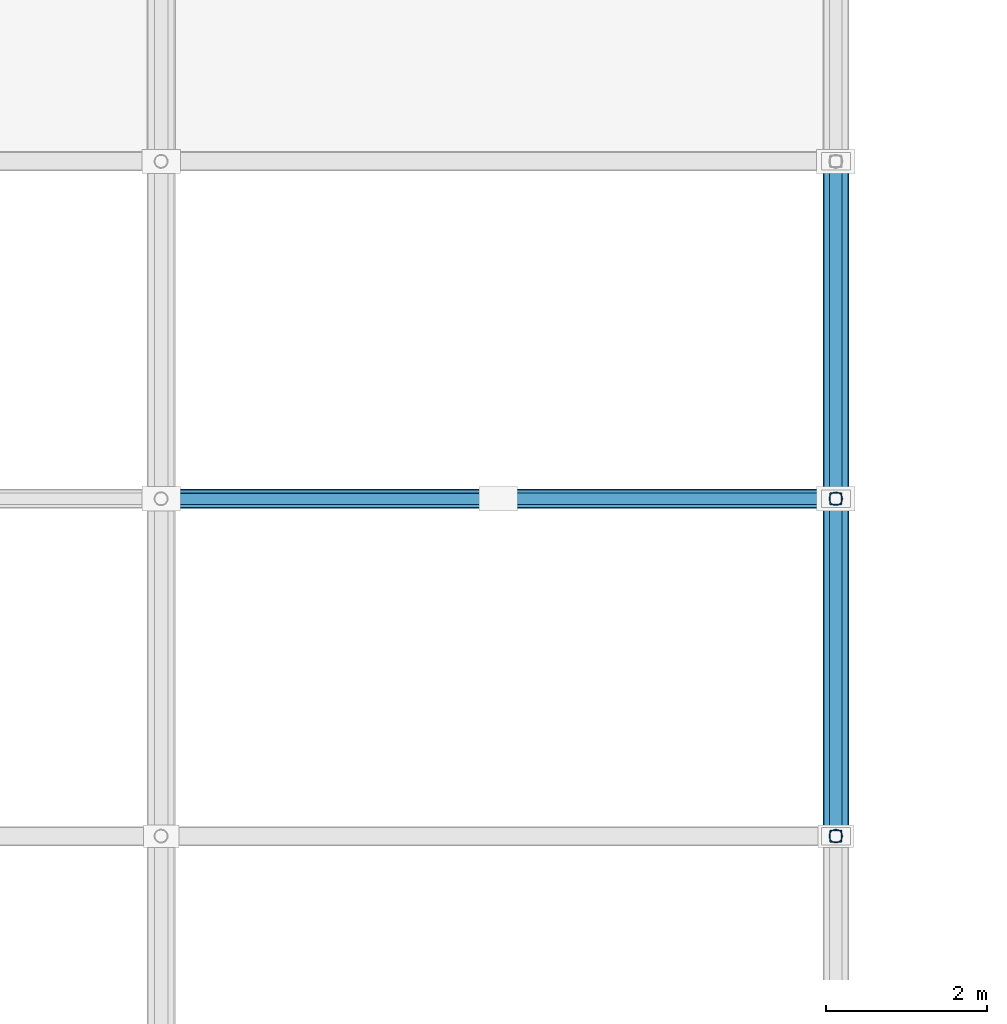
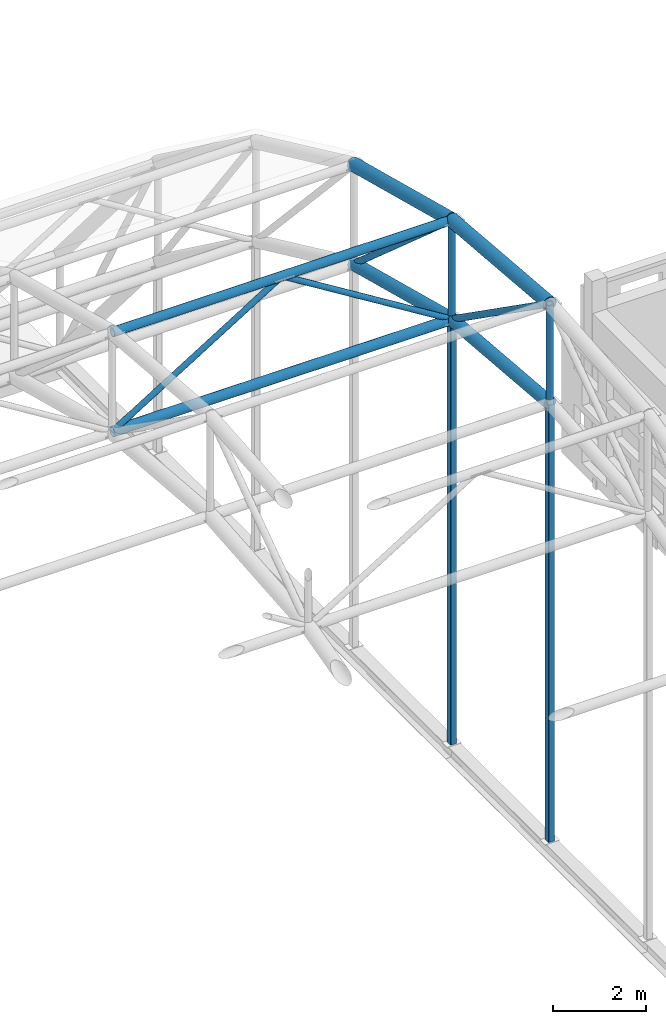
# One storey, part 59 of 103: 10 members, 4 beams.
"""IFC4 building model written with IfcOpenShell, lengths in metres."""

from ifc_helpers import new_model, si_unit, direction, frame, origin, origin_2d, place, context, subcontext, project, spatial, hollow_rectangle, hollow_circle, extrude, material, material_profile, profile_set, type_object, element, save


model = new_model("IFC4")

# Units and contexts
model_context = context("Model", 3, precision=1e-05, world=origin(), true_north=direction((0.0, 1.0)))
body_context = subcontext(model_context, "Body", "Model", "MODEL_VIEW")
ifc_project = project(units=[si_unit("LENGTHUNIT", "METRE"), si_unit("AREAUNIT", "SQUARE_METRE"), si_unit("VOLUMEUNIT", "CUBIC_METRE"), si_unit("PLANEANGLEUNIT", "RADIAN"), si_unit("MASSUNIT", "GRAM", prefix="KILO")], contexts=[model_context])

# Site, building, storey
site_placement = place(None, origin())
site = spatial("IfcSite", under=ifc_project, at=site_placement, CompositionType="ELEMENT")
building_placement = place(site_placement, origin())
building = spatial("IfcBuilding", under=site, at=building_placement, Name="Varnapada Polytechnic", CompositionType="ELEMENT")
storey_placement = place(building_placement, frame((0.0, 0.0, 18.0)))
storey = spatial("IfcBuildingStorey", under=building, at=storey_placement, Name="L04", CompositionType="ELEMENT", Elevation=18.0)

# Members
ifc_material = material(Name="Steel S355", Category="steel")
ifc_material_profile_1 = material_profile(ifc_material, hollow_rectangle(XDim=0.14990234375, YDim=0.14990234375, WallThickness=0.00634765625, InnerFilletRadius=0.006103515625, OuterFilletRadius=0.011962890625, at=origin_2d()), Name="SHS 150x150x6.3")
ifc_profile_set_1 = profile_set([ifc_material_profile_1], Name="Steel S355")
member_type_1 = type_object("IfcMemberType", Name="Sawtooth north-light mullion post SFP-02 (SHS 150x150x6.3)", PredefinedType="POST", material=ifc_profile_set_1)
member_1_placement = place(storey_placement, frame((134.39990234375, 105.0, 0.0), z_axis=(0.0, 0.0, 1.0), x_axis=(1.0, 0.0, 0.0)))
element("IfcMember", 1, at=member_1_placement, inside=storey, type_object=member_type_1, Name="Workshop arch tympanum mullion E.5", PredefinedType="POST", context=body_context, shape_type="SweptSolid", body=[
    extrude(hollow_rectangle(XDim=0.14990234375, YDim=0.14990234375, WallThickness=0.00634765625, InnerFilletRadius=0.006103515625, OuterFilletRadius=0.011962890625, at=origin_2d()), origin(), (0.0, 0.0, 1.0), 11.435302734375),
])
member_2_placement = place(storey_placement, frame((134.39990234375, 109.199951171875, 0.0), z_axis=(0.0, 0.0, 1.0), x_axis=(1.0, 0.0, 0.0)))
element("IfcMember", 2, at=member_2_placement, inside=storey, type_object=member_type_1, Name="Workshop arch tympanum mullion E.6", PredefinedType="POST", context=body_context, shape_type="SweptSolid", body=[
    extrude(hollow_rectangle(XDim=0.14990234375, YDim=0.14990234375, WallThickness=0.00634765625, InnerFilletRadius=0.006103515625, OuterFilletRadius=0.011962890625, at=origin_2d()), origin(), (0.0, 0.0, 1.0), 11.080078125),
])

# Beams
ifc_material_profile_2 = material_profile(ifc_material, hollow_circle(Radius=0.149169921875, WallThickness=0.010009765625, at=origin_2d()), Name="CHS 298.5x10.0")
ifc_profile_set_2 = profile_set([ifc_material_profile_2], Name="Steel S355")
beam_type_1 = type_object("IfcBeamType", Name="Space frame end-bay arch rib VA-04 (CHS 298.5x10.0)", PredefinedType="BEAM", material=ifc_profile_set_2)
beam_1_placement = place(storey_placement, frame((134.39990234375, 105.0, 11.435302734375), z_axis=(0.0, 0.99644233396, -0.084277369988), x_axis=(-1.0, 0.0, 0.0)))
element("IfcBeam", 3, at=beam_1_placement, inside=storey, type_object=beam_type_1, Name="Vaulted space frame bottom arch chord 11.6", PredefinedType="BEAM", context=body_context, shape_type="SweptSolid", body=[
    extrude(hollow_circle(Radius=0.149169921875, WallThickness=0.010009765625, at=origin_2d()), origin(), (0.0, 0.0, 1.0), 4.21484375),
])
beam_2_placement = place(storey_placement, frame((134.39990234375, 109.199951171875, 11.080078125), z_axis=(0.0, 0.967476176159, -0.252962148484), x_axis=(-1.0, 0.0, 0.0)))
element("IfcBeam", 4, at=beam_2_placement, inside=storey, type_object=beam_type_1, Name="Vaulted space frame bottom arch chord 11.7", PredefinedType="BEAM", context=body_context, shape_type="SweptSolid", body=[
    extrude(hollow_circle(Radius=0.149169921875, WallThickness=0.010009765625, at=origin_2d()), origin(), (0.0, 0.0, 1.0), 4.341064453125),
])

# Members
ifc_material_profile_3 = material_profile(ifc_material, hollow_circle(Radius=0.07958984375, WallThickness=0.00634765625, at=origin_2d()), Name="CHS 159.0x6.3")
ifc_profile_set_3 = profile_set([ifc_material_profile_3], Name="Steel S355")
member_type_2 = type_object("IfcMemberType", Name="Space frame perimeter web diagonal SFB-03 (CHS 159.0x6.3)", PredefinedType="BRACE", material=ifc_profile_set_3)
member_3_placement = place(storey_placement, frame((134.39990234375, 105.0, 14.035400390625), z_axis=(0.0, 0.817824649693, -0.575467498956), x_axis=(-1.0, 0.0, 0.0)))
element("IfcMember", 5, at=member_3_placement, inside=storey, type_object=member_type_2, Name="Vaulted space frame web diagonal 11.6", PredefinedType="BRACE", context=body_context, shape_type="SweptSolid", body=[
    extrude(hollow_circle(Radius=0.07958984375, WallThickness=0.00634765625, at=origin_2d()), origin(), (0.0, 0.0, 1.0), 5.135498046875),
])
member_4_placement = place(storey_placement, frame((134.39990234375, 109.199951171875, 13.679931640625), z_axis=(0.0, 0.750532603682, -0.660833421378), x_axis=(-1.0, 0.0, 0.0)))
element("IfcMember", 6, at=member_4_placement, inside=storey, type_object=member_type_2, Name="Vaulted space frame web diagonal 11.7", PredefinedType="BRACE", context=body_context, shape_type="SweptSolid", body=[
    extrude(hollow_circle(Radius=0.07958984375, WallThickness=0.00634765625, at=origin_2d()), origin(), (0.0, 0.0, 1.0), 5.595947265625),
])
ifc_material_profile_4 = material_profile(ifc_material, hollow_circle(Radius=0.122314453125, WallThickness=0.008056640625, at=origin_2d()), Name="CHS 244.5x8.0")
ifc_profile_set_4 = profile_set([ifc_material_profile_4], Name="Steel S355")
member_type_3 = type_object("IfcMemberType", Name="Vaulted space frame longitudinal bottom chord SFC-01 (CHS 244.5x8.0)", PredefinedType="CHORD", material=ifc_profile_set_4)
member_5_placement = place(storey_placement, frame((126.0, 109.199951171875, 11.080078125), z_axis=(1.0, 0.0, 0.0), x_axis=(0.0, 1.0, 0.0)))
element("IfcMember", 7, at=member_5_placement, inside=storey, type_object=member_type_3, Name="Vaulted space frame longitudinal bottom chord 10.7", PredefinedType="CHORD", context=body_context, shape_type="SweptSolid", body=[
    extrude(hollow_circle(Radius=0.122314453125, WallThickness=0.008056640625, at=origin_2d()), origin(), (0.0, 0.0, 1.0), 8.39990234375),
])
ifc_material_profile_5 = material_profile(ifc_material, hollow_circle(Radius=0.109619140625, WallThickness=0.008056640625, at=origin_2d()), Name="CHS 219.1x8.0")
ifc_profile_set_5 = profile_set([ifc_material_profile_5], Name="Steel S355")
member_type_4 = type_object("IfcMemberType", Name="Vaulted space frame longitudinal top chord SFC-02 (CHS 219.1x8.0)", PredefinedType="CHORD", material=ifc_profile_set_5)
member_6_placement = place(storey_placement, frame((126.0, 109.199951171875, 13.679931640625), z_axis=(1.0, 0.0, 0.0), x_axis=(0.0, 1.0, 0.0)))
element("IfcMember", 8, at=member_6_placement, inside=storey, type_object=member_type_4, Name="Vaulted space frame longitudinal top chord 10.7", PredefinedType="CHORD", context=body_context, shape_type="SweptSolid", body=[
    extrude(hollow_circle(Radius=0.109619140625, WallThickness=0.008056640625, at=origin_2d()), origin(), (0.0, 0.0, 1.0), 8.39990234375),
])
ifc_material_profile_6 = material_profile(ifc_material, hollow_circle(Radius=0.084228515625, WallThickness=0.00634765625, at=origin_2d()), Name="CHS 168.3x6.3")
ifc_profile_set_6 = profile_set([ifc_material_profile_6], Name="Steel S355")
member_type_5 = type_object("IfcMemberType", Name="Vaulted space frame radial web strut SFS-01 (CHS 168.3x6.3)", PredefinedType="STRUT", material=ifc_profile_set_6)
member_7_placement = place(storey_placement, frame((134.39990234375, 105.0, 11.435302734375), z_axis=(0.0, 0.0, 1.0), x_axis=(1.0, 0.0, 0.0)))
element("IfcMember", 9, at=member_7_placement, inside=storey, type_object=member_type_5, Name="Vaulted space frame strut 11.6", PredefinedType="STRUT", context=body_context, shape_type="SweptSolid", body=[
    extrude(hollow_circle(Radius=0.084228515625, WallThickness=0.00634765625, at=origin_2d()), origin(), (0.0, 0.0, 1.0), 2.60009765625),
])
member_8_placement = place(storey_placement, frame((134.39990234375, 109.199951171875, 11.080078125), z_axis=(0.0, 0.0, 1.0), x_axis=(1.0, 0.0, 0.0)))
element("IfcMember", 10, at=member_8_placement, inside=storey, type_object=member_type_5, Name="Vaulted space frame strut 11.7", PredefinedType="STRUT", context=body_context, shape_type="SweptSolid", body=[
    extrude(hollow_circle(Radius=0.084228515625, WallThickness=0.00634765625, at=origin_2d()), origin(), (0.0, 0.0, 1.0), 2.599853515625),
])
ifc_material_profile_7 = material_profile(ifc_material, hollow_circle(Radius=0.06982421875, WallThickness=0.0048828125, at=origin_2d()), Name="CHS 139.7x5.0")
ifc_profile_set_7 = profile_set([ifc_material_profile_7], Name="Steel S355")
member_type_6 = type_object("IfcMemberType", Name="Vaulted space frame secondary web diagonal SFB-02 (CHS 139.7x5.0)", PredefinedType="BRACE", material=ifc_profile_set_7)
for number, where, z_axis, x_axis, name in (
    (11, (126.0, 109.199951171875, 11.080078125), (0.85027567993, 0.0, 0.526337598999), (0.0, 1.0, 0.0), "Vaulted space frame longitudinal brace 10.7A"),
    (12, (134.39990234375, 109.199951171875, 11.080078125), (-0.85027567993, 0.0, 0.526337598999), (0.0, -1.0, 0.0), "Vaulted space frame longitudinal brace 10.7B"),
):
    element("IfcMember", number, at=place(storey_placement, frame(where, z_axis=z_axis, x_axis=x_axis)), inside=storey, type_object=member_type_6, Name=name, PredefinedType="BRACE", context=body_context, shape_type="SweptSolid", body=[
        extrude(hollow_circle(Radius=0.06982421875, WallThickness=0.0048828125, at=origin_2d()), origin(), (0.0, 0.0, 1.0), 4.939453125),
    ])

# Beams
ifc_material_profile_8 = material_profile(ifc_material, hollow_circle(Radius=0.161865234375, WallThickness=0.010009765625, at=origin_2d()), Name="CHS 323.9x10.0")
ifc_profile_set_8 = profile_set([ifc_material_profile_8], Name="Steel S355")
beam_type_2 = type_object("IfcBeamType", Name="Vaulted space frame upper arch rib VA-02 (CHS 323.9x10.0)", PredefinedType="BEAM", material=ifc_profile_set_8)
beam_3_placement = place(storey_placement, frame((134.39990234375, 105.0, 14.035400390625), z_axis=(0.0, 0.996437468128, -0.084334880753), x_axis=(-1.0, 0.0, 0.0)))
element("IfcBeam", 13, at=beam_3_placement, inside=storey, type_object=beam_type_2, Name="Vaulted space frame top arch chord 11.6", PredefinedType="BEAM", context=body_context, shape_type="SweptSolid", body=[
    extrude(hollow_circle(Radius=0.161865234375, WallThickness=0.010009765625, at=origin_2d()), origin(), (0.0, 0.0, 1.0), 4.215087890625),
])
beam_4_placement = place(storey_placement, frame((134.39990234375, 109.199951171875, 13.679931640625), z_axis=(0.0, 0.967476176159, -0.252962148484), x_axis=(-1.0, 0.0, 0.0)))
element("IfcBeam", 14, at=beam_4_placement, inside=storey, type_object=beam_type_2, Name="Vaulted space frame top arch chord 11.7", PredefinedType="BEAM", context=body_context, shape_type="SweptSolid", body=[
    extrude(hollow_circle(Radius=0.161865234375, WallThickness=0.010009765625, at=origin_2d()), origin(), (0.0, 0.0, 1.0), 4.341064453125),
])

save(model, "model.ifc")
